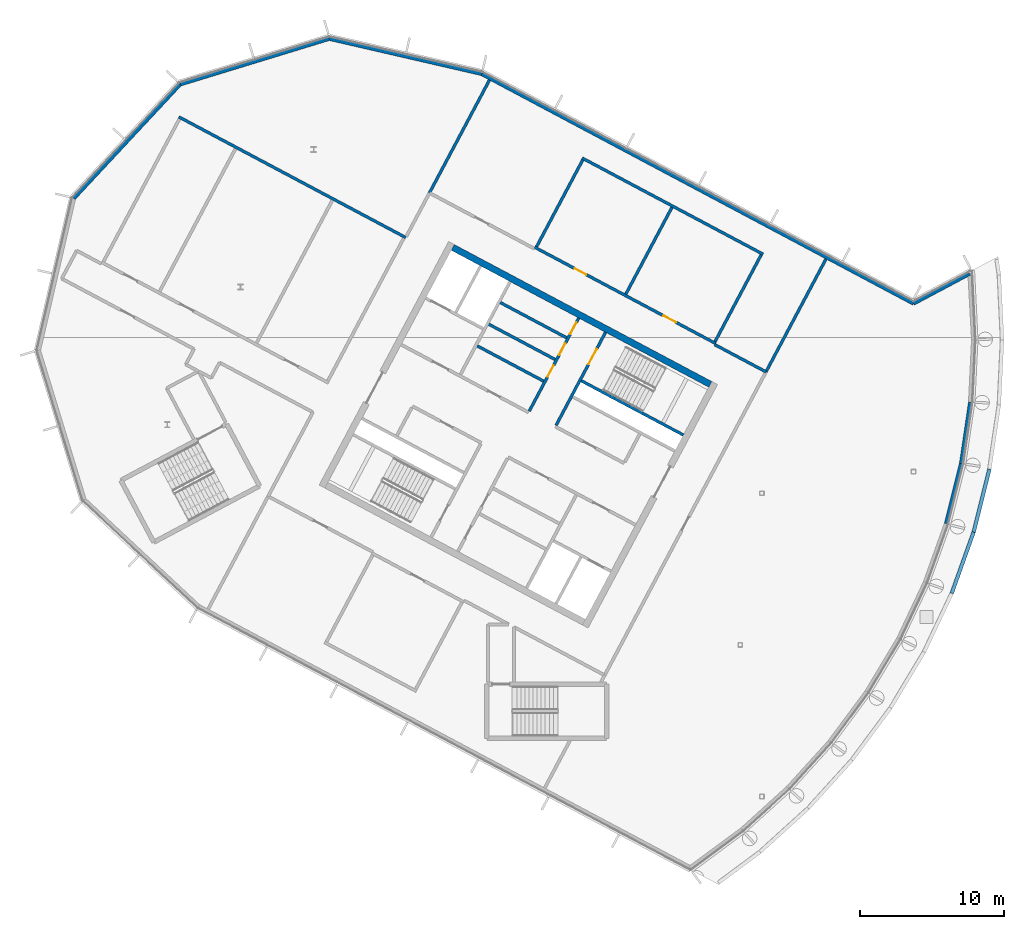
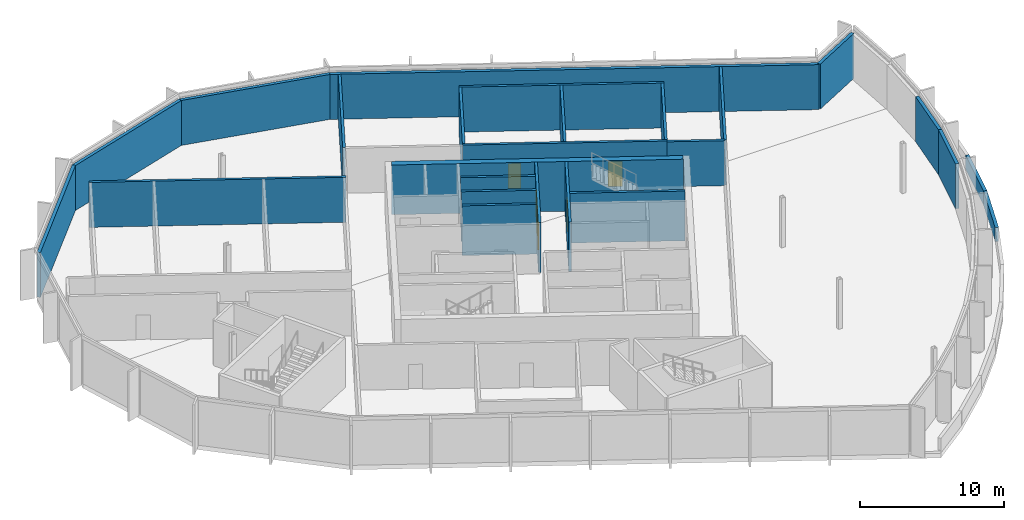
# One storey, part 8 of 15: 25 walls, 6 doors, 6 openings.
"""IFC4 building model written with IfcOpenShell, lengths in metres."""

from ifc_helpers import new_model, si_unit, direction, frame, frame_2d, origin, place, context, subcontext, project, spatial, rectangle, extrude, material, layer, layer_set, type_object, element, fill, save


model = new_model("IFC4")

# Units and contexts
model_context = context("Model", 3, precision=1e-05, world=origin(), true_north=direction((0.0, 1.0)))
body_context = subcontext(model_context, "Body", "Model", "MODEL_VIEW")
ifc_project = project(units=[si_unit("LENGTHUNIT", "METRE"), si_unit("AREAUNIT", "SQUARE_METRE"), si_unit("VOLUMEUNIT", "CUBIC_METRE"), si_unit("PLANEANGLEUNIT", "RADIAN"), si_unit("MASSUNIT", "GRAM", prefix="KILO")], contexts=[model_context])

# Site, building, storey
site_placement = place(None, origin())
site = spatial("IfcSite", under=ifc_project, at=site_placement, CompositionType="ELEMENT")
building_placement = place(site_placement, origin())
building = spatial("IfcBuilding", under=site, at=building_placement, Name="Cormorant Relay Tower", CompositionType="ELEMENT")
storey_placement = place(building_placement, frame((0.0, 0.0, 332.39990234375)))
storey = spatial("IfcBuildingStorey", under=building, at=storey_placement, Name="C2", CompositionType="ELEMENT", Elevation=332.39990234375)

# Walls
ifc_material_1 = material(Name="Concrete 40 MPa", Category="concrete")
ifc_layer_1 = layer(ifc_material_1, 0.199951171875)
ifc_layer_set_1 = layer_set([ifc_layer_1], Name="Core internal wall 200")
wall_type_1 = type_object("IfcWallType", Name="Core internal wall 200", PredefinedType="SOLIDWALL", material=ifc_layer_set_1)
for number, where, z_axis, x_axis, name in (
    (1, (-24.02685546875, 21.26953125, 0.0), (0.0, 0.0, 1.0), (-0.882934506056, 0.469496174655, 0.0), "C2 core A shaft and room wall"),
    (2, (-24.824951171875, 19.7685546875, 0.0), (0.0, 0.0, 1.0), (-0.882934506056, 0.469496174655, 0.0), "C2 core A shaft and room wall"),
):
    element("IfcWall", number, at=place(storey_placement, frame(where, z_axis=z_axis, x_axis=x_axis)), inside=storey, type_object=wall_type_1, Name=name, PredefinedType="SOLIDWALL", context=body_context, shape_type="SweptSolid", body=[
        extrude(rectangle(XDim=5.199951171875, YDim=0.199951171875, at=frame_2d((2.60009765625, 0.0))), origin(), (0.0, 0.0, 1.0), 4.2001953125),
    ])

# Wall, opening, door
ifc_material_2 = material(Name="Concrete 50 MPa", Category="concrete")
ifc_layer_2 = layer(ifc_material_2, 0.199951171875)
ifc_layer_set_2 = layer_set([ifc_layer_2], Name="Core shaft wall 200")
wall_type_2 = type_object("IfcWallType", Name="Core shaft wall 200", PredefinedType="SHEAR", material=ifc_layer_set_2)
wall_1_placement = place(storey_placement, frame((-21.333251953125, 21.6494140625, 0.0), z_axis=(0.0, 0.0, 1.0), x_axis=(-0.469494272526, -0.882935517501, 0.0)))
wall_1 = element("IfcWall", 3, at=wall_1_placement, inside=storey, type_object=wall_type_2, Name="C2 core A shaft wall", PredefinedType="SHEAR", context=body_context, shape_type="SweptSolid", body=[
    extrude(rectangle(XDim=7.2998046875, YDim=0.199951171875, at=frame_2d((3.64990234375, 0.0))), origin(), (0.0, 0.0, 1.0), 4.2001953125),
])
opening_1_placement = place(wall_1_placement, frame((1.300048828125, 0.0, 0.0)))
opening_1 = element("IfcOpeningElement", 4, at=opening_1_placement, cuts=wall_1, Name="Opening CDB-044", PredefinedType="OPENING", context=body_context, shape_type="SweptSolid", body=[
    extrude(rectangle(XDim=1.199951171875, YDim=2.10009765625, at=frame_2d((0.60009765625, 1.050048828125))), frame((0.0, 0.10986328125, 0.0), z_axis=(0.0, -1.0, 0.0), x_axis=(1.0, 0.0, 0.0)), (0.0, 0.0, 1.0), 0.219970703125),
])
ifc_material_3 = material(Name="Steel fire door", Category="steel")
door_type_1 = type_object("IfcDoorType", Name="Core stair door 1200x2100", OperationType="SINGLE_SWING_LEFT", PredefinedType="DOOR", material=ifc_material_3)
door_1_placement = place(opening_1_placement, origin())
door_1 = element("IfcDoor", 5, at=door_1_placement, inside=storey, type_object=door_type_1, Name="Core stair door 1200x2100", OperationType="SINGLE_SWING_RIGHT", OverallHeight=2.10009765625, OverallWidth=1.199951171875, PredefinedType="DOOR", context=body_context, shape_type="SweptSolid", body=[
    extrude(rectangle(XDim=1.199951171875, YDim=2.10009765625, at=frame_2d((0.60009765625, 1.050048828125))), frame((0.0, 0.02490234375, 0.0), z_axis=(0.0, -1.0, 0.0), x_axis=(1.0, 0.0, 0.0)), (0.0, 0.0, 1.0), 0.050048828125),
])
fill(opening_1, door_1)

# Wall, openings, doors
wall_2_placement = place(storey_placement, frame((-23.1875, 22.635498046875, 0.0), z_axis=(0.0, 0.0, 1.0), x_axis=(-0.469454336211, -0.882956752176, 0.0)))
wall_2 = element("IfcWall", 6, at=wall_2_placement, inside=storey, type_object=wall_type_2, Name="C2 core A shaft wall", PredefinedType="SHEAR", context=body_context, shape_type="SweptSolid", body=[
    extrude(rectangle(XDim=7.300048828125, YDim=0.199951171875, at=frame_2d((3.64990234375, 0.0))), origin(), (0.0, 0.0, 1.0), 4.2001953125),
])
opening_2_placement = place(wall_2_placement, frame((0.35009765625, 0.0, 0.0)))
opening_2 = element("IfcOpeningElement", 7, at=opening_2_placement, cuts=wall_2, Name="Opening CDD-369", PredefinedType="OPENING", context=body_context, shape_type="SweptSolid", body=[
    extrude(rectangle(XDim=0.89990234375, YDim=2.10009765625, at=frame_2d((0.449951171875, 1.050048828125))), frame((0.0, 0.10986328125, 0.0), z_axis=(0.0, -1.0, 0.0), x_axis=(1.0, 0.0, 0.0)), (0.0, 0.0, 1.0), 0.219970703125),
])
opening_3_placement = place(wall_2_placement, frame((2.0, 0.0, 0.0)))
opening_3 = element("IfcOpeningElement", 8, at=opening_3_placement, cuts=wall_2, Name="Opening CDD-370", PredefinedType="OPENING", context=body_context, shape_type="SweptSolid", body=[
    extrude(rectangle(XDim=0.89990234375, YDim=2.10009765625, at=frame_2d((0.449951171875, 1.050048828125))), frame((0.0, 0.10986328125, 0.0), z_axis=(0.0, -1.0, 0.0), x_axis=(1.0, 0.0, 0.0)), (0.0, 0.0, 1.0), 0.219970703125),
])
opening_4_placement = place(wall_2_placement, frame((3.699951171875, 0.0, 0.0)))
opening_4 = element("IfcOpeningElement", 9, at=opening_4_placement, cuts=wall_2, Name="Opening CDD-371", PredefinedType="OPENING", context=body_context, shape_type="SweptSolid", body=[
    extrude(rectangle(XDim=0.89990234375, YDim=2.10009765625, at=frame_2d((0.449951171875, 1.050048828125))), frame((0.0, 0.10986328125, 0.0), z_axis=(0.0, -1.0, 0.0), x_axis=(1.0, 0.0, 0.0)), (0.0, 0.0, 1.0), 0.219970703125),
])
ifc_material_4 = material(Name="Steel fire door", Category="steel")
door_type_2 = type_object("IfcDoorType", Name="Core room door 900x2100", OperationType="SINGLE_SWING_LEFT", PredefinedType="DOOR", material=ifc_material_4)
door_2_placement = place(opening_2_placement, origin())
door_2 = element("IfcDoor", 10, at=door_2_placement, inside=storey, type_object=door_type_2, Name="Core room door 900x2100", OperationType="SINGLE_SWING_LEFT", OverallHeight=2.10009765625, OverallWidth=0.89990234375, PredefinedType="DOOR", context=body_context, shape_type="SweptSolid", body=[
    extrude(rectangle(XDim=0.89990234375, YDim=2.10009765625, at=frame_2d((0.449951171875, 1.050048828125))), frame((0.0, 0.02490234375, 0.0), z_axis=(0.0, -1.0, 0.0), x_axis=(1.0, 0.0, 0.0)), (0.0, 0.0, 1.0), 0.050048828125),
])
fill(opening_2, door_2)
door_3_placement = place(opening_3_placement, origin())
door_3 = element("IfcDoor", 11, at=door_3_placement, inside=storey, type_object=door_type_2, Name="Core room door 900x2100", OperationType="SINGLE_SWING_LEFT", OverallHeight=2.10009765625, OverallWidth=0.89990234375, PredefinedType="DOOR", context=body_context, shape_type="SweptSolid", body=[
    extrude(rectangle(XDim=0.89990234375, YDim=2.10009765625, at=frame_2d((0.449951171875, 1.050048828125))), frame((0.0, 0.02490234375, 0.0), z_axis=(0.0, -1.0, 0.0), x_axis=(1.0, 0.0, 0.0)), (0.0, 0.0, 1.0), 0.050048828125),
])
fill(opening_3, door_3)
door_4_placement = place(opening_4_placement, origin())
door_4 = element("IfcDoor", 12, at=door_4_placement, inside=storey, type_object=door_type_2, Name="Core room door 900x2100", OperationType="SINGLE_SWING_LEFT", OverallHeight=2.10009765625, OverallWidth=0.89990234375, PredefinedType="DOOR", context=body_context, shape_type="SweptSolid", body=[
    extrude(rectangle(XDim=0.89990234375, YDim=2.10009765625, at=frame_2d((0.449951171875, 1.050048828125))), frame((0.0, 0.02490234375, 0.0), z_axis=(0.0, -1.0, 0.0), x_axis=(1.0, 0.0, 0.0)), (0.0, 0.0, 1.0), 0.050048828125),
])
fill(opening_4, door_4)

# Walls
wall_3_placement = place(storey_placement, frame((-15.94189453125, 14.53564453125, 0.0), z_axis=(0.0, 0.0, 1.0), x_axis=(-0.882946947542, 0.469472776449, 0.0)))
element("IfcWall", 13, at=wall_3_placement, inside=storey, type_object=wall_type_2, Name="C2 core A shaft wall", PredefinedType="SHEAR", context=body_context, shape_type="SweptSolid", body=[
    extrude(rectangle(XDim=8.000244140625, YDim=0.199951171875, at=frame_2d((4.0, 0.0))), origin(), (0.0, 0.0, 1.0), 4.2001953125),
])
wall_4_placement = place(storey_placement, frame((-25.623046875, 18.267578125, 0.0), z_axis=(0.0, 0.0, 1.0), x_axis=(-0.882953967957, 0.469459572775, 0.0)))
element("IfcWall", 14, at=wall_4_placement, inside=storey, type_object=wall_type_2, Name="C2 core A shaft wall", PredefinedType="SHEAR", context=body_context, shape_type="SweptSolid", body=[
    extrude(rectangle(XDim=5.199951171875, YDim=0.199951171875, at=frame_2d((2.60009765625, 0.0))), origin(), (0.0, 0.0, 1.0), 4.2001953125),
])
ifc_material_5 = material(Name="Concrete 50 MPa", Category="concrete")
ifc_layer_3 = layer(ifc_material_5, 0.449951171875)
ifc_layer_set_3 = layer_set([ifc_layer_3], Name="Core wall 450")
wall_type_3 = type_object("IfcWallType", Name="Core wall 450", PredefinedType="SHEAR", material=ifc_layer_set_3)
wall_5_placement = place(storey_placement, frame((-14.07568359375, 18.04541015625, 0.0), z_axis=(0.0, 0.0, 1.0), x_axis=(-0.882947755831, 0.46947125628, 0.0)))
element("IfcWall", 15, at=wall_5_placement, inside=storey, type_object=wall_type_3, Name="C2 core A wall", PredefinedType="SHEAR", context=body_context, shape_type="SweptSolid", body=[
    extrude(rectangle(XDim=20.2001953125, YDim=0.449951171875, at=frame_2d((10.10009765625, 0.0))), origin(), (0.0, 0.0, 1.0), 4.2001953125),
])
ifc_material_6 = material(Name="Concrete 30 MPa block wall", Category="concrete")
ifc_layer_4 = layer(ifc_material_6, 0.199951171875)
ifc_layer_set_4 = layer_set([ifc_layer_4], Name="Crown plant room wall 200")
wall_type_4 = type_object("IfcWallType", Name="Crown plant room wall 200", PredefinedType="PARTITIONING", material=ifc_layer_set_4)
wall_6_placement = place(storey_placement, frame((-10.41650390625, 27.057373046875, 0.0), z_axis=(0.0, 0.0, 1.0), x_axis=(-0.882947150019, 0.469472395646, 0.0)))
element("IfcWall", 16, at=wall_6_placement, inside=storey, type_object=wall_type_4, Name="Plant room wall", PredefinedType="PARTITIONING", context=body_context, shape_type="SweptSolid", body=[
    extrude(rectangle(XDim=14.199951171875, YDim=0.199951171875, at=frame_2d((7.10009765625, 0.0))), origin(), (0.0, 0.0, 1.0), 3.7998046875),
])

# Wall, openings, doors
wall_7_placement = place(storey_placement, frame((-13.702880859375, 20.876708984375, 0.0), z_axis=(0.0, 0.0, 1.0), x_axis=(-0.882947150019, 0.469472395646, 0.0)))
wall_7 = element("IfcWall", 17, at=wall_7_placement, inside=storey, type_object=wall_type_4, Name="Plant room wall", PredefinedType="PARTITIONING", context=body_context, shape_type="SweptSolid", body=[
    extrude(rectangle(XDim=14.199951171875, YDim=0.199951171875, at=frame_2d((7.10009765625, 0.0))), origin(), (0.0, 0.0, 1.0), 3.7998046875),
])
opening_5_placement = place(wall_7_placement, frame((3.10009765625, 0.0, 0.0)))
opening_5 = element("IfcOpeningElement", 18, at=opening_5_placement, cuts=wall_7, Name="Opening CRD1-014", PredefinedType="OPENING", context=body_context, shape_type="SweptSolid", body=[
    extrude(rectangle(XDim=1.0, YDim=2.10009765625, at=frame_2d((0.5, 1.050048828125))), frame((0.0, 0.10986328125, 0.0), z_axis=(0.0, -1.0, 0.0), x_axis=(1.0, 0.0, 0.0)), (0.0, 0.0, 1.0), 0.219970703125),
])
opening_6_placement = place(wall_7_placement, frame((10.14990234375, 0.0, 0.0)))
opening_6 = element("IfcOpeningElement", 19, at=opening_6_placement, cuts=wall_7, Name="Opening CRD4-002", PredefinedType="OPENING", context=body_context, shape_type="SweptSolid", body=[
    extrude(rectangle(XDim=0.89990234375, YDim=2.10009765625, at=frame_2d((0.449951171875, 1.050048828125))), frame((0.0, 0.10986328125, 0.0), z_axis=(0.0, -1.0, 0.0), x_axis=(1.0, 0.0, 0.0)), (0.0, 0.0, 1.0), 0.219970703125),
])
ifc_material_7 = material(Name="Galvanised sheet steel ASTM A653 framed door leaf", Category="steel")
door_type_3 = type_object("IfcDoorType", Name="Crown door single 1000", OperationType="SINGLE_SWING_LEFT", PredefinedType="DOOR", material=ifc_material_7)
door_5_placement = place(opening_5_placement, frame((1.0, 0.0, 0.0), z_axis=(0.0, 0.0, 1.0), x_axis=(-1.0, 0.0, 0.0)))
door_5 = element("IfcDoor", 20, at=door_5_placement, inside=storey, type_object=door_type_3, Name="Fire water tank room door", OperationType="SINGLE_SWING_RIGHT", OverallHeight=2.10009765625, OverallWidth=1.0, PredefinedType="DOOR", context=body_context, shape_type="SweptSolid", body=[
    extrude(rectangle(XDim=1.0, YDim=2.10009765625, at=frame_2d((0.5, 1.050048828125))), frame((0.0, 0.02490234375, 0.0), z_axis=(0.0, -1.0, 0.0), x_axis=(1.0, 0.0, 0.0)), (0.0, 0.0, 1.0), 0.050048828125),
])
fill(opening_5, door_5)
ifc_material_8 = material(Name="Galvanised sheet steel ASTM A653 framed door leaf", Category="steel")
door_type_4 = type_object("IfcDoorType", Name="Crown door single 900", OperationType="SINGLE_SWING_LEFT", PredefinedType="DOOR", material=ifc_material_8)
door_6_placement = place(opening_6_placement, frame((0.89990234375, 0.0, 0.0), z_axis=(0.0, 0.0, 1.0), x_axis=(-1.0, 0.0, 0.0)))
door_6 = element("IfcDoor", 21, at=door_6_placement, inside=storey, type_object=door_type_4, Name="Pump room door", OperationType="SINGLE_SWING_RIGHT", OverallHeight=2.10009765625, OverallWidth=0.89990234375, PredefinedType="DOOR", context=body_context, shape_type="SweptSolid", body=[
    extrude(rectangle(XDim=0.89990234375, YDim=2.10009765625, at=frame_2d((0.449951171875, 1.050048828125))), frame((0.0, 0.02490234375, 0.0), z_axis=(0.0, -1.0, 0.0), x_axis=(1.0, 0.0, 0.0)), (0.0, 0.0, 1.0), 0.050048828125),
])
fill(opening_6, door_6)

# Walls
wall_8_placement = place(storey_placement, frame((-35.1708984375, 28.21435546875, 0.0), z_axis=(0.0, 0.0, 1.0), x_axis=(-0.882952110828, 0.469463065622, 0.0)))
element("IfcWall", 22, at=wall_8_placement, inside=storey, type_object=wall_type_4, Name="Plant room wall", PredefinedType="PARTITIONING", context=body_context, shape_type="SweptSolid", body=[
    extrude(rectangle(XDim=17.800048828125, YDim=0.199951171875, at=frame_2d((8.89990234375, 0.0))), origin(), (0.0, 0.0, 1.0), 3.7998046875),
])
for number, where, z_axis, x_axis, name in (
    (23, (-10.5517578125, 27.01611328125, 0.0), (0.0, 0.0, 1.0), (-0.469462324734, -0.882952504756, 0.0), "Plant room wall"),
    (24, (-16.732421875, 30.302490234375, 0.0), (0.0, 0.0, 1.0), (-0.469462324734, -0.882952504756, 0.0), "Plant room wall"),
):
    element("IfcWall", number, at=place(storey_placement, frame(where, z_axis=z_axis, x_axis=x_axis)), inside=storey, type_object=wall_type_4, Name=name, PredefinedType="PARTITIONING", context=body_context, shape_type="SweptSolid", body=[
        extrude(rectangle(XDim=6.800048828125, YDim=0.199951171875, at=frame_2d((3.39990234375, 0.0))), origin(), (0.0, 0.0, 1.0), 3.7998046875),
    ])
wall_9_placement = place(storey_placement, frame((-22.9130859375, 33.588623046875, 0.0), z_axis=(0.0, 0.0, 1.0), x_axis=(-0.469477207229, -0.882944591632, 0.0)))
element("IfcWall", 25, at=wall_9_placement, inside=storey, type_object=wall_type_4, Name="Plant room wall", PredefinedType="PARTITIONING", context=body_context, shape_type="SweptSolid", body=[
    extrude(rectangle(XDim=6.7998046875, YDim=0.199951171875, at=frame_2d((3.39990234375, 0.0))), origin(), (0.0, 0.0, 1.0), 3.7998046875),
])
wall_10_placement = place(storey_placement, frame((-13.767578125, 20.7978515625, 0.0), z_axis=(0.0, 0.0, 1.0), x_axis=(0.882960769226, -0.469446780805, 0.0)))
element("IfcWall", 26, at=wall_10_placement, inside=storey, type_object=wall_type_4, Name="Plant room wall", PredefinedType="PARTITIONING", context=body_context, shape_type="SweptSolid", body=[
    extrude(rectangle(XDim=4.02001953125, YDim=0.199951171875, at=frame_2d((2.010009765625, 0.0))), origin(), (0.0, 0.0, 1.0), 3.7998046875),
])
wall_11_placement = place(storey_placement, frame((-29.3740234375, 39.119140625, 0.0), z_axis=(0.0, 0.0, 1.0), x_axis=(-0.469467804358, -0.88294959124, 0.0)))
element("IfcWall", 27, at=wall_11_placement, inside=storey, type_object=wall_type_4, Name="Plant room wall", PredefinedType="PARTITIONING", context=body_context, shape_type="SweptSolid", body=[
    extrude(rectangle(XDim=8.86962890625, YDim=0.199951171875, at=frame_2d((4.434814453125, 0.0))), origin(), (0.0, 0.0, 1.0), 3.7998046875),
])
wall_12_placement = place(storey_placement, frame((-6.064208984375, 26.72509765625, 0.0), z_axis=(0.0, 0.0, 1.0), x_axis=(-0.469473884002, -0.882946358642, 0.0)))
element("IfcWall", 28, at=wall_12_placement, inside=storey, type_object=wall_type_4, Name="Plant room wall", PredefinedType="PARTITIONING", context=body_context, shape_type="SweptSolid", body=[
    extrude(rectangle(XDim=8.849853515625, YDim=0.199951171875, at=frame_2d((4.4248046875, 0.0))), origin(), (0.0, 0.0, 1.0), 3.7998046875),
])
ifc_material_9 = material(Name="Bronze cladding on Concrete 30 MPa block wall", Category="concrete")
ifc_layer_5 = layer(ifc_material_9, 0.25)
ifc_layer_set_5 = layer_set([ifc_layer_5], Name="Crown wall 250")
wall_type_5 = type_object("IfcWallType", Name="Crown wall 250", PredefinedType="STANDARD", material=ifc_layer_set_5)
wall_13_placement = place(storey_placement, frame((-58.160400390625, 30.92431640625, 0.0), z_axis=(0.0, 0.0, 1.0), x_axis=(0.681998532518, 0.731353540802, 0.0)))
element("IfcWall", 29, at=wall_13_placement, inside=storey, type_object=wall_type_5, Name="Crown wall C2", PredefinedType="STANDARD", context=body_context, shape_type="SweptSolid", body=[
    extrude(rectangle(XDim=10.803466796875, YDim=0.25, at=frame_2d((5.40185546875, 0.0))), origin(), (0.0, 0.0, 1.0), 3.7998046875),
])
wall_14_placement = place(storey_placement, frame((-50.79248046875, 38.825439453125, 0.0), z_axis=(0.0, 0.0, 1.0), x_axis=(0.95630419349, 0.292373544482, 0.0)))
element("IfcWall", 30, at=wall_14_placement, inside=storey, type_object=wall_type_5, Name="Crown wall C2", PredefinedType="STANDARD", context=body_context, shape_type="SweptSolid", body=[
    extrude(rectangle(XDim=10.8037109375, YDim=0.25, at=frame_2d((5.40185546875, 0.0))), origin(), (0.0, 0.0, 1.0), 3.7998046875),
])
wall_15_placement = place(storey_placement, frame((-40.4609375, 41.984130859375, 0.0), z_axis=(0.0, 0.0, 1.0), x_axis=(0.974369134847, -0.224955082309, 0.0)))
element("IfcWall", 31, at=wall_15_placement, inside=storey, type_object=wall_type_5, Name="Crown wall C2", PredefinedType="STANDARD", context=body_context, shape_type="SweptSolid", body=[
    extrude(rectangle(XDim=10.8203125, YDim=0.25, at=frame_2d((5.41015625, 0.0))), origin(), (0.0, 0.0, 1.0), 3.7998046875),
])
wall_16_placement = place(storey_placement, frame((-29.91796875, 39.550048828125, 0.0), z_axis=(0.0, 0.0, 1.0), x_axis=(0.882946997297, -0.469472682872, 0.0)))
element("IfcWall", 32, at=wall_16_placement, inside=storey, type_object=wall_type_5, Name="Crown wall C2", PredefinedType="STANDARD", context=body_context, shape_type="SweptSolid", body=[
    extrude(rectangle(XDim=33.88427734375, YDim=0.25, at=frame_2d((16.942138671875, 0.0))), origin(), (0.0, 0.0, 1.0), 3.7998046875),
])
wall_17_placement = place(storey_placement, frame((0.0, 23.642333984375, 0.0), z_axis=(0.0, 0.0, 1.0), x_axis=(0.882938391402, 0.4694888678, 0.0)))
element("IfcWall", 33, at=wall_17_placement, inside=storey, type_object=wall_type_5, Name="Crown wall C2", PredefinedType="STANDARD", context=body_context, shape_type="SweptSolid", body=[
    extrude(rectangle(XDim=4.404541015625, YDim=0.25, at=frame_2d((2.2021484375, 0.0))), origin(), (0.0, 0.0, 1.0), 3.7998046875),
])
wall_18_placement = place(storey_placement, frame((3.930908203125, 16.82568359375, 0.0), z_axis=(0.0, 0.0, 1.0), x_axis=(-0.14669045494, -0.989182445472, 0.0)))
element("IfcWall", 34, at=wall_18_placement, inside=storey, type_object=wall_type_5, Name="Crown wall C2", PredefinedType="STANDARD", context=body_context, shape_type="SweptSolid", body=[
    extrude(rectangle(XDim=4.3056640625, YDim=0.25, at=frame_2d((2.15283203125, 0.0))), origin(), (0.0, 0.0, 1.0), 3.7998046875),
])
wall_19_placement = place(storey_placement, frame((3.29931640625, 12.566650390625, 0.0), z_axis=(0.0, 0.0, 1.0), x_axis=(-0.24301587703, -0.970022310832, 0.0)))
element("IfcWall", 35, at=wall_19_placement, inside=storey, type_object=wall_type_5, Name="Crown wall C2", PredefinedType="STANDARD", context=body_context, shape_type="SweptSolid", body=[
    extrude(rectangle(XDim=4.305908203125, YDim=0.25, at=frame_2d((2.15283203125, 0.0))), origin(), (0.0, 0.0, 1.0), 3.7998046875),
])
ifc_material_10 = material(Name="Bronze cladding on Concrete 30 MPa block wall", Category="concrete")
ifc_layer_6 = layer(ifc_material_10, 0.25)
ifc_layer_set_6 = layer_set([ifc_layer_6], Name="Parapet 250")
wall_type_6 = type_object("IfcWallType", Name="Parapet 250", PredefinedType="PARAPET", material=ifc_layer_set_6)
for number, where, z_axis, x_axis, name in (
    (36, (5.2607421875, 12.176513671875, 0.0), (0.0, 0.0, 1.0), (-0.242956693097, -0.970037136031, 0.0), "Terrace parapet C1"),
    (37, (4.1669921875, 7.8095703125, 0.0), (0.0, 0.0, 1.0), (-0.33692721032, -0.941530697824, 0.0), "Terrace parapet C1"),
):
    element("IfcWall", number, at=place(storey_placement, frame(where, z_axis=z_axis, x_axis=x_axis)), inside=storey, type_object=wall_type_6, Name=name, PredefinedType="PARAPET", context=body_context, shape_type="SweptSolid", body=[
        extrude(rectangle(XDim=4.501953125, YDim=0.25, at=frame_2d((2.2509765625, 0.0))), origin(), (0.0, 0.0, 1.0), 1.2001953125),
    ])

save(model, "model.ifc")
